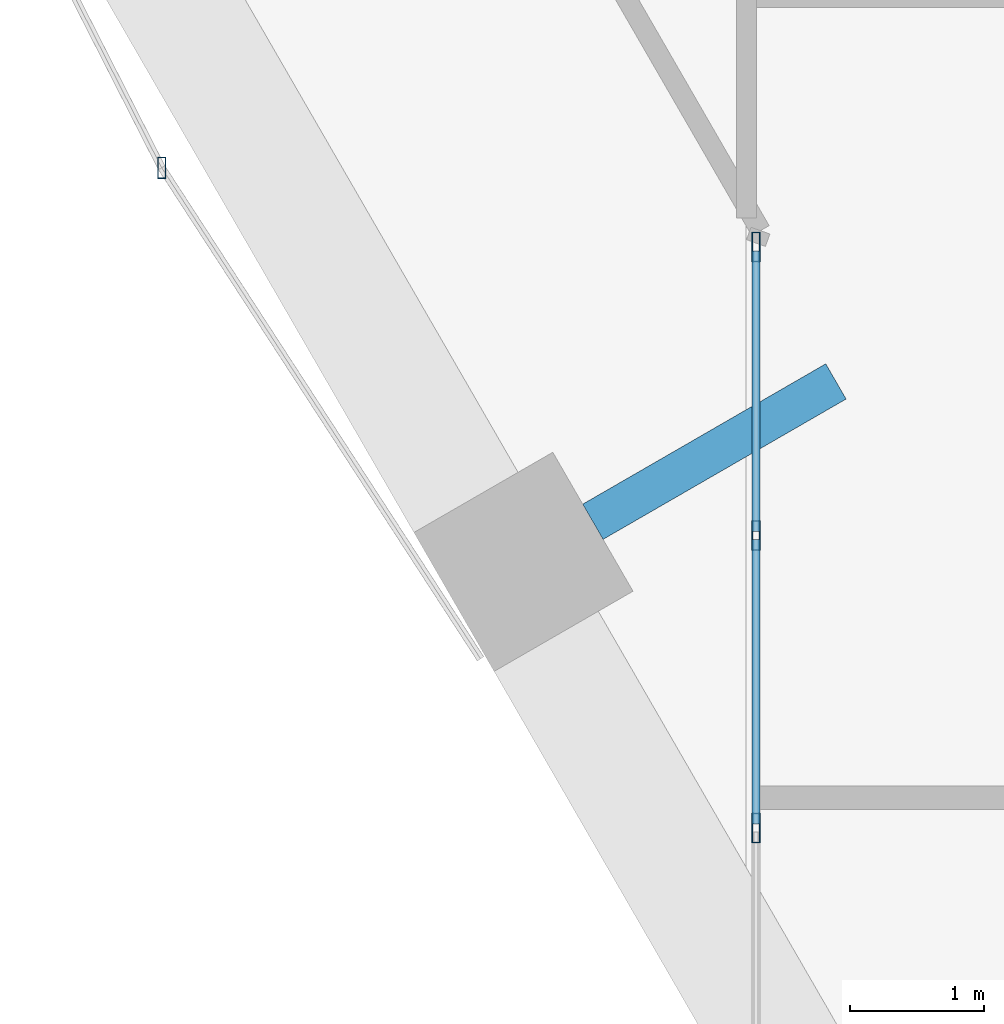
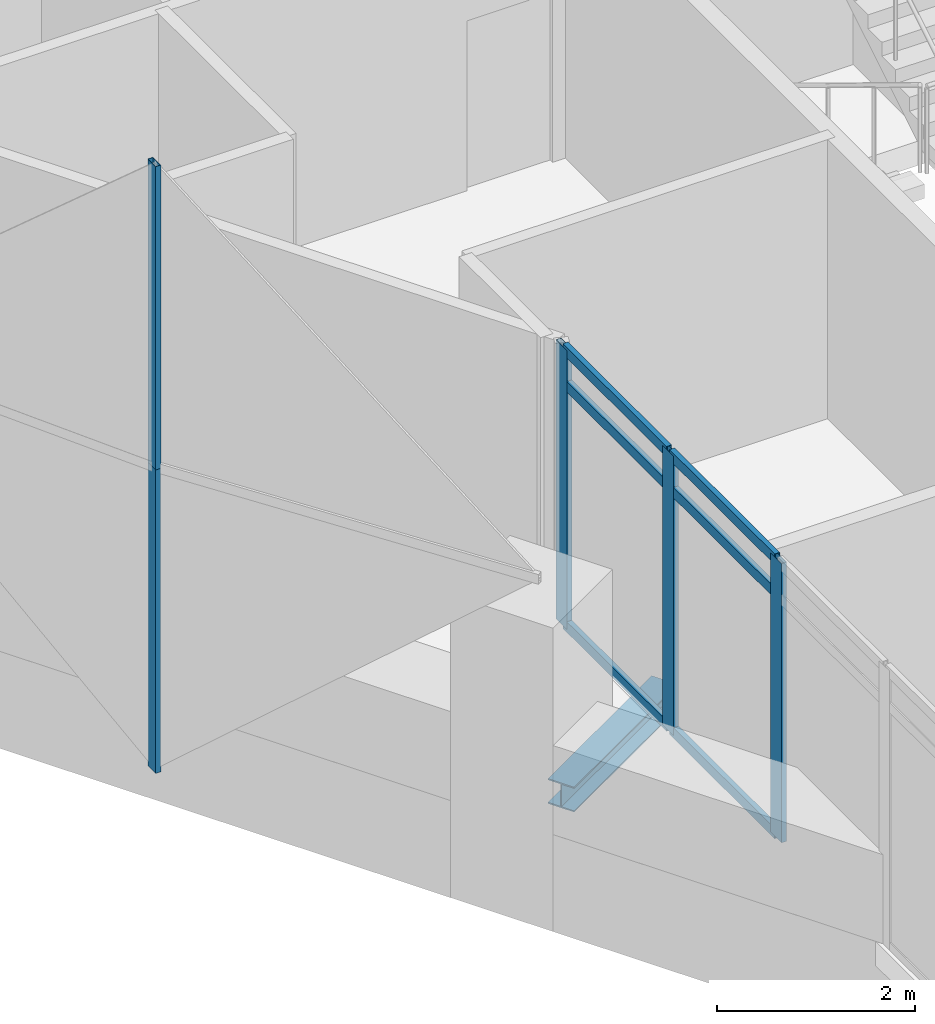
# One storey, part 9 of 36: 11 members, 1 beam, 2 elements without a shape of their own.
"""IFC4 building model written with IfcOpenShell, lengths in metres."""

from ifc_helpers import new_model, si_unit, direction, frame, origin, origin_2d, place, context, subcontext, project, spatial, hollow_rectangle, i_section, extrude, material, material_profile, profile_set, type_object, element, aggregate, save


model = new_model("IFC4")

# Units and contexts
model_context = context("Model", 3, precision=1e-05, world=origin(), true_north=direction((0.0, 1.0)))
body_context = subcontext(model_context, "Body", "Model", "MODEL_VIEW")
ifc_project = project(units=[si_unit("LENGTHUNIT", "METRE"), si_unit("AREAUNIT", "SQUARE_METRE"), si_unit("VOLUMEUNIT", "CUBIC_METRE"), si_unit("PLANEANGLEUNIT", "RADIAN"), si_unit("MASSUNIT", "GRAM", prefix="KILO")], contexts=[model_context])

# Site, building, storey
site_placement = place(None, origin())
site = spatial("IfcSite", under=ifc_project, at=site_placement, CompositionType="ELEMENT")
building_placement = place(site_placement, origin())
building = spatial("IfcBuilding", under=site, at=building_placement, Name="Ostrander Bayou Hotel Tower", CompositionType="ELEMENT")
storey_placement = place(building_placement, frame((0.0, 0.0, 138.5)))
storey = spatial("IfcBuildingStorey", under=building, at=storey_placement, Name="L34", CompositionType="ELEMENT", Elevation=138.5)

# Curtain wall, members
ifc_material_1 = material(Name="Aluminium and clear glass", Category="aluminium")
curtain_wall_type_1 = type_object("IfcCurtainWallType", Name="CW-BAR glazed wall", PredefinedType="NOTDEFINED", material=ifc_material_1)
curtain_wall_1_placement = place(storey_placement, origin())
curtain_wall_1 = element("IfcCurtainWall", 1, at=curtain_wall_1_placement, inside=storey, type_object=curtain_wall_type_1, Name="CW-BAR L34:SB3S:E", PredefinedType="NOTDEFINED")
ifc_material_2 = material(Name="Aluminium", Category="aluminium")
ifc_material_profile_1 = material_profile(ifc_material_2, hollow_rectangle(XDim=0.06005859375, YDim=0.219970703125, WallThickness=0.00390625, at=origin_2d()))
ifc_profile_set_1 = profile_set([ifc_material_profile_1], Name="Aluminium")
member_type_1 = type_object("IfcMemberType", Name="CW-BR mullion 60 x 220 mm", PredefinedType="MULLION", material=ifc_profile_set_1)
member_1_placement = place(storey_placement, frame((-13.3671875, -10.877197265625, 0.0), z_axis=(0.0, 0.0, 1.0), x_axis=(1.0, 0.0, 0.0)))
member_1 = element("IfcMember", 2, at=member_1_placement, type_object=member_type_1, Name="CW-BAR mullion 1", PredefinedType="MULLION", context=body_context, shape_type="SweptSolid", body=[
    extrude(hollow_rectangle(XDim=0.06005859375, YDim=0.219970703125, WallThickness=0.00390625, at=origin_2d()), origin(), (0.0, 0.0, 1.0), 3.449951171875),
])
member_2_placement = place(storey_placement, frame((-13.3671875, -13.03662109375, 0.0), z_axis=(0.0, 0.0, 1.0), x_axis=(1.0, 0.0, 0.0)))
member_2 = element("IfcMember", 3, at=member_2_placement, type_object=member_type_1, Name="CW-BAR mullion 2", PredefinedType="MULLION", context=body_context, shape_type="SweptSolid", body=[
    extrude(hollow_rectangle(XDim=0.06005859375, YDim=0.219970703125, WallThickness=0.00390625, at=origin_2d()), origin(), (0.0, 0.0, 1.0), 3.449951171875),
])
member_3_placement = place(storey_placement, frame((-13.3671875, -15.22607421875, 0.0), z_axis=(0.0, 0.0, 1.0), x_axis=(1.0, 0.0, 0.0)))
member_3 = element("IfcMember", 4, at=member_3_placement, type_object=member_type_1, Name="CW-BAR mullion 3", PredefinedType="MULLION", context=body_context, shape_type="SweptSolid", body=[
    extrude(hollow_rectangle(XDim=0.06005859375, YDim=0.219970703125, WallThickness=0.00390625, at=origin_2d()), origin(), (0.0, 0.0, 1.0), 3.449951171875),
])
ifc_material_3 = material(Name="Aluminium", Category="aluminium")
ifc_material_profile_2 = material_profile(ifc_material_3, hollow_rectangle(XDim=0.06005859375, YDim=0.1298828125, WallThickness=0.00390625, at=origin_2d()))
ifc_profile_set_2 = profile_set([ifc_material_profile_2], Name="Aluminium")
member_type_2 = type_object("IfcMemberType", Name="CW-BR transom 60 x 130 mm", PredefinedType="USERDEFINED", material=ifc_profile_set_2)
member_4_placement = place(storey_placement, frame((-13.3671875, -10.9072265625, 0.030029296875), z_axis=(0.0, -1.0, 0.0), x_axis=(1.0, 0.0, 0.0)))
member_4 = element("IfcMember", 5, at=member_4_placement, type_object=member_type_2, Name="CW-BAR transom 1.1", ObjectType="TRANSOM", PredefinedType="USERDEFINED", context=body_context, shape_type="SweptSolid", body=[
    extrude(hollow_rectangle(XDim=0.06005859375, YDim=0.1298828125, WallThickness=0.00390625, at=origin_2d()), origin(), (0.0, 0.0, 1.0), 2.099609375),
])
member_5_placement = place(storey_placement, frame((-13.3671875, -10.9072265625, 3.0), z_axis=(0.0, -1.0, 0.0), x_axis=(1.0, 0.0, 0.0)))
member_5 = element("IfcMember", 6, at=member_5_placement, type_object=member_type_2, Name="CW-BAR transom 1.2", ObjectType="TRANSOM", PredefinedType="USERDEFINED", context=body_context, shape_type="SweptSolid", body=[
    extrude(hollow_rectangle(XDim=0.06005859375, YDim=0.1298828125, WallThickness=0.00390625, at=origin_2d()), origin(), (0.0, 0.0, 1.0), 2.099609375),
])
member_6_placement = place(storey_placement, frame((-13.3671875, -10.9072265625, 3.419921875), z_axis=(0.0, -1.0, 0.0), x_axis=(1.0, 0.0, 0.0)))
member_6 = element("IfcMember", 7, at=member_6_placement, type_object=member_type_2, Name="CW-BAR transom 1.3", ObjectType="TRANSOM", PredefinedType="USERDEFINED", context=body_context, shape_type="SweptSolid", body=[
    extrude(hollow_rectangle(XDim=0.06005859375, YDim=0.1298828125, WallThickness=0.00390625, at=origin_2d()), origin(), (0.0, 0.0, 1.0), 2.099609375),
])
member_7_placement = place(storey_placement, frame((-13.3671875, -13.066650390625, 0.030029296875), z_axis=(0.0, -1.0, 0.0), x_axis=(1.0, 0.0, 0.0)))
member_7 = element("IfcMember", 8, at=member_7_placement, type_object=member_type_2, Name="CW-BAR transom 2.1", ObjectType="TRANSOM", PredefinedType="USERDEFINED", context=body_context, shape_type="SweptSolid", body=[
    extrude(hollow_rectangle(XDim=0.06005859375, YDim=0.1298828125, WallThickness=0.00390625, at=origin_2d()), origin(), (0.0, 0.0, 1.0), 2.12939453125),
])
member_8_placement = place(storey_placement, frame((-13.3671875, -13.066650390625, 3.0), z_axis=(0.0, -1.0, 0.0), x_axis=(1.0, 0.0, 0.0)))
member_8 = element("IfcMember", 9, at=member_8_placement, type_object=member_type_2, Name="CW-BAR transom 2.2", ObjectType="TRANSOM", PredefinedType="USERDEFINED", context=body_context, shape_type="SweptSolid", body=[
    extrude(hollow_rectangle(XDim=0.06005859375, YDim=0.1298828125, WallThickness=0.00390625, at=origin_2d()), origin(), (0.0, 0.0, 1.0), 2.12939453125),
])
member_9_placement = place(storey_placement, frame((-13.3671875, -13.066650390625, 3.419921875), z_axis=(0.0, -1.0, 0.0), x_axis=(1.0, 0.0, 0.0)))
member_9 = element("IfcMember", 10, at=member_9_placement, type_object=member_type_2, Name="CW-BAR transom 2.3", ObjectType="TRANSOM", PredefinedType="USERDEFINED", context=body_context, shape_type="SweptSolid", body=[
    extrude(hollow_rectangle(XDim=0.06005859375, YDim=0.1298828125, WallThickness=0.00390625, at=origin_2d()), origin(), (0.0, 0.0, 1.0), 2.12939453125),
])
aggregate(curtain_wall_1, [member_1, member_2, member_3, member_4, member_5, member_6, member_7, member_8, member_9])

ifc_material_4 = material(Name="Aluminium and clear glass", Category="aluminium")
curtain_wall_type_2 = type_object("IfcCurtainWallType", Name="CW-LAT lattice glazing", PredefinedType="NOTDEFINED", material=ifc_material_4)
curtain_wall_2_placement = place(storey_placement, origin())
curtain_wall_2 = element("IfcCurtainWall", 11, at=curtain_wall_2_placement, inside=storey, type_object=curtain_wall_type_2, Name="CW-LAT L34 SW 1", PredefinedType="NOTDEFINED")
ifc_material_5 = material(Name="Aluminium", Category="aluminium")
ifc_material_profile_3 = material_profile(ifc_material_5, hollow_rectangle(XDim=0.06005859375, YDim=0.159912109375, WallThickness=0.00390625, at=origin_2d()))
ifc_profile_set_3 = profile_set([ifc_material_profile_3], Name="Aluminium")
member_type_3 = type_object("IfcMemberType", Name="CW-LA mullion 60 x 160 mm", PredefinedType="MULLION", material=ifc_profile_set_3)
member_10_placement = place(storey_placement, frame((-17.814208984375, -10.284912109375, -0.60009765625), z_axis=(0.0, 0.0, 1.0), x_axis=(1.0, 0.0, 0.0)))
member_10 = element("IfcMember", 12, at=member_10_placement, type_object=member_type_3, Name="CW-LAT mullion 4", PredefinedType="MULLION", context=body_context, shape_type="SweptSolid", body=[
    extrude(hollow_rectangle(XDim=0.06005859375, YDim=0.159912109375, WallThickness=0.00390625, at=origin_2d()), origin(), (0.0, 0.0, 1.0), 3.75),
])
member_11_placement = place(storey_placement, frame((-17.814208984375, -10.284912109375, 3.14990234375), z_axis=(0.0, 0.0, 1.0), x_axis=(1.0, 0.0, 0.0)))
member_11 = element("IfcMember", 13, at=member_11_placement, type_object=member_type_3, Name="CW-LAT mullion 5", PredefinedType="MULLION", context=body_context, shape_type="SweptSolid", body=[
    extrude(hollow_rectangle(XDim=0.06005859375, YDim=0.159912109375, WallThickness=0.00390625, at=origin_2d()), origin(), (0.0, 0.0, 1.0), 3.75),
])
aggregate(curtain_wall_2, [member_10, member_11])

# Beam
ifc_material_6 = material(Name="Steel ASTM A992", Category="steel")
ifc_material_profile_4 = material_profile(ifc_material_6, i_section(OverallWidth=0.3046875, OverallDepth=0.307861328125, WebThickness=0.010009765625, FlangeThickness=0.015380859375, at=origin_2d()))
ifc_profile_set_4 = profile_set([ifc_material_profile_4], Name="Steel ASTM A992")
beam_type = type_object("IfcBeamType", Name="LB1 loggia bracket W12x65", PredefinedType="BEAM", material=ifc_profile_set_4)
beam_placement = place(storey_placement, frame((-14.587646484375, -12.933349609375, -0.453857421875), z_axis=(0.866009402589, 0.500027713859, 0.0), x_axis=(-0.500027713859, 0.866009402589, 0.0)))
element("IfcBeam", 14, at=beam_placement, inside=storey, type_object=beam_type, Name="LB1 L34 SW2", PredefinedType="BEAM", context=body_context, shape_type="SweptSolid", body=[
    extrude(i_section(OverallWidth=0.3046875, OverallDepth=0.307861328125, WebThickness=0.010009765625, FlangeThickness=0.015380859375, at=origin_2d()), origin(), (0.0, 0.0, 1.0), 2.10009765625),
])

save(model, "model.ifc")
